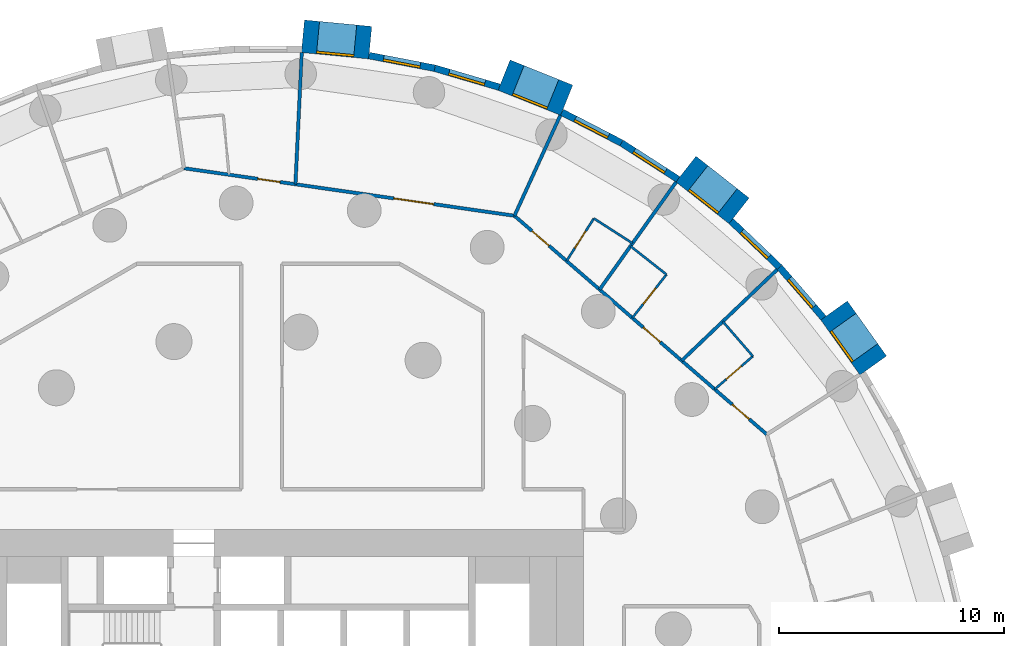
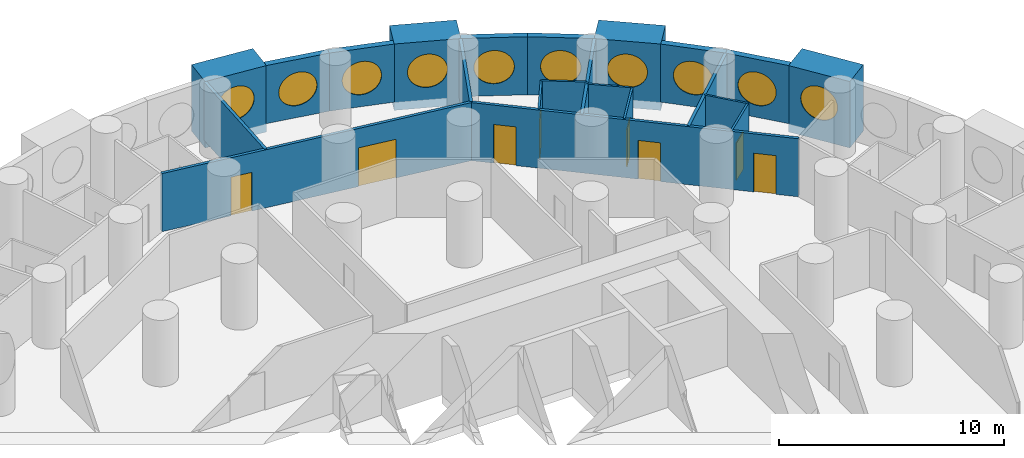
# One storey, part 10 of 12: 22 walls, 10 windows, 8 doors, 18 openings.
"""IFC4 building model written with IfcOpenShell, lengths in metres."""

from ifc_helpers import new_model, si_unit, direction, frame, frame_2d, origin, origin_2d, place, context, subcontext, project, spatial, rectangle, circle, extrude, material, layer, layer_set, type_object, element, fill, save


model = new_model("IFC4")

# Units and contexts
model_context = context("Model", 3, precision=1e-05, world=origin(), true_north=direction((0.0, 1.0)))
body_context = subcontext(model_context, "Body", "Model", "MODEL_VIEW")
ifc_project = project(units=[si_unit("LENGTHUNIT", "METRE"), si_unit("AREAUNIT", "SQUARE_METRE"), si_unit("VOLUMEUNIT", "CUBIC_METRE"), si_unit("PLANEANGLEUNIT", "RADIAN"), si_unit("MASSUNIT", "GRAM", prefix="KILO")], contexts=[model_context])

# Site, building, storey
site_placement = place(None, origin())
site = spatial("IfcSite", under=ifc_project, at=site_placement, CompositionType="ELEMENT")
building_placement = place(site_placement, origin())
building = spatial("IfcBuilding", under=site, at=building_placement, Name="Tracery Tower", CompositionType="ELEMENT")
storey_placement = place(building_placement, frame((0.0, 0.0, 35.39990234375)))
storey = spatial("IfcBuildingStorey", under=building, at=storey_placement, Name="L07", CompositionType="ELEMENT", Elevation=35.39990234375)

# Wall, opening, window
ifc_material_1 = material(Name="Precast concrete C50/60", Category="concrete")
ifc_layer_1 = layer(ifc_material_1, 1.449951171875)
ifc_layer_set_1 = layer_set([ifc_layer_1], Name="Deep-set bay unit 3000 x 3600, slab edge 450")
wall_type_1 = type_object("IfcWallType", Name="Deep-set bay unit 3000 x 3600, slab edge 450", PredefinedType="ELEMENTEDWALL", material=ifc_layer_set_1)
wall_1_placement = place(storey_placement, frame((26.866455078125, 17.2900390625, -0.449951171875), z_axis=(0.0, 0.0, 1.0), x_axis=(-0.580090570606, 0.814551981088, 0.0)))
wall_1 = element("IfcWall", 1, at=wall_1_placement, inside=storey, type_object=wall_type_1, Name="Deep-set bay unit 7 at L07", PredefinedType="ELEMENTEDWALL", context=body_context, shape_type="SweptSolid", body=[
    extrude(rectangle(XDim=3.0, YDim=1.449951171875, at=frame_2d((1.5, 0.0))), origin(), (0.0, 0.0, 1.0), 3.60009765625),
])
opening_1_placement = place(wall_1_placement, frame((1.5, 0.0, 2.0)))
opening_1 = element("IfcOpeningElement", 2, at=opening_1_placement, cuts=wall_1, Name="Opening WN1", PredefinedType="OPENING", context=body_context, shape_type="SweptSolid", body=[
    extrude(circle(Radius=0.9000244140625, at=origin_2d()), frame((0.0, 0.73486328125, 0.0), z_axis=(0.0, -1.0, 0.0), x_axis=(1.0, 0.0, 0.0)), (0.0, 0.0, 1.0), 1.469970703125),
])
ifc_material_2 = material(Name="Aluminium frame with tinted double glazing", Category="aluminium")
window_type = type_object("IfcWindowType", Name="Round window 1800", PartitioningType="SINGLE_PANEL", PredefinedType="WINDOW", material=ifc_material_2)
window_1_placement = place(opening_1_placement, origin())
window_1 = element("IfcWindow", 3, at=window_1_placement, inside=storey, type_object=window_type, Name="Round window 7 at L07", OverallHeight=1.800048828125, OverallWidth=1.800048828125, PartitioningType="SINGLE_PANEL", PredefinedType="WINDOW", context=body_context, shape_type="SweptSolid", body=[
    extrude(circle(Radius=0.9000244140625, at=origin_2d()), frame((0.0, 0.69482421875, 0.0), z_axis=(0.0, -1.0, 0.0), x_axis=(1.0, 0.0, 0.0)), (0.0, 0.0, 1.0), 0.10009765625),
])
fill(opening_1, window_1)

wall_2_placement = place(storey_placement, frame((20.906982421875, 24.15869140625, -0.449951171875), z_axis=(0.0, 0.0, 1.0), x_axis=(-0.786049992888, 0.618162930529, 0.0)))
wall_2 = element("IfcWall", 4, at=wall_2_placement, inside=storey, type_object=wall_type_1, Name="Deep-set bay unit 10 at L07", PredefinedType="ELEMENTEDWALL", context=body_context, shape_type="SweptSolid", body=[
    extrude(rectangle(XDim=3.0, YDim=1.449951171875, at=frame_2d((1.5, 0.0))), origin(), (0.0, 0.0, 1.0), 3.60009765625),
])
opening_2_placement = place(wall_2_placement, frame((1.5, 0.0, 2.0)))
opening_2 = element("IfcOpeningElement", 5, at=opening_2_placement, cuts=wall_2, Name="Opening WN1", PredefinedType="OPENING", context=body_context, shape_type="SweptSolid", body=[
    extrude(circle(Radius=0.9000244140625, at=origin_2d()), frame((0.0, 0.73486328125, 0.0), z_axis=(0.0, -1.0, 0.0), x_axis=(1.0, 0.0, 0.0)), (0.0, 0.0, 1.0), 1.469970703125),
])
window_2_placement = place(opening_2_placement, origin())
window_2 = element("IfcWindow", 6, at=window_2_placement, inside=storey, type_object=window_type, Name="Round window 10 at L07", OverallHeight=1.800048828125, OverallWidth=1.800048828125, PartitioningType="SINGLE_PANEL", PredefinedType="WINDOW", context=body_context, shape_type="SweptSolid", body=[
    extrude(circle(Radius=0.9000244140625, at=origin_2d()), frame((0.0, 0.69482421875, 0.0), z_axis=(0.0, -1.0, 0.0), x_axis=(1.0, 0.0, 0.0)), (0.0, 0.0, 1.0), 0.10009765625),
])
fill(opening_2, window_2)

wall_3_placement = place(storey_placement, frame((13.253662109375, 29.0703125, -0.449951171875), z_axis=(0.0, 0.0, 1.0), x_axis=(-0.928358776184, 0.371685327504, 0.0)))
wall_3 = element("IfcWall", 7, at=wall_3_placement, inside=storey, type_object=wall_type_1, Name="Deep-set bay unit 13 at L07", PredefinedType="ELEMENTEDWALL", context=body_context, shape_type="SweptSolid", body=[
    extrude(rectangle(XDim=2.999755859375, YDim=1.449951171875, at=frame_2d((1.5, 0.0))), origin(), (0.0, 0.0, 1.0), 3.60009765625),
])
opening_3_placement = place(wall_3_placement, frame((1.5, 0.0, 2.0)))
opening_3 = element("IfcOpeningElement", 8, at=opening_3_placement, cuts=wall_3, Name="Opening WN1", PredefinedType="OPENING", context=body_context, shape_type="SweptSolid", body=[
    extrude(circle(Radius=0.9000244140625, at=origin_2d()), frame((0.0, 0.73486328125, 0.0), z_axis=(0.0, -1.0, 0.0), x_axis=(1.0, 0.0, 0.0)), (0.0, 0.0, 1.0), 1.469970703125),
])
window_3_placement = place(opening_3_placement, origin())
window_3 = element("IfcWindow", 9, at=window_3_placement, inside=storey, type_object=window_type, Name="Round window 13 at L07", OverallHeight=1.800048828125, OverallWidth=1.800048828125, PartitioningType="SINGLE_PANEL", PredefinedType="WINDOW", context=body_context, shape_type="SweptSolid", body=[
    extrude(circle(Radius=0.9000244140625, at=origin_2d()), frame((0.0, 0.69482421875, 0.0), z_axis=(0.0, -1.0, 0.0), x_axis=(1.0, 0.0, 0.0)), (0.0, 0.0, 1.0), 0.10009765625),
])
fill(opening_3, window_3)

wall_4_placement = place(storey_placement, frame((4.52685546875, 31.626708984375, -0.449951171875), z_axis=(0.0, 0.0, 1.0), x_axis=(-0.995472768558, 0.09504718333, 0.0)))
wall_4 = element("IfcWall", 10, at=wall_4_placement, inside=storey, type_object=wall_type_1, Name="Deep-set bay unit 16 at L07", PredefinedType="ELEMENTEDWALL", context=body_context, shape_type="SweptSolid", body=[
    extrude(rectangle(XDim=3.000244140625, YDim=1.449951171875, at=frame_2d((1.5, 0.0))), origin(), (0.0, 0.0, 1.0), 3.60009765625),
])
opening_4_placement = place(wall_4_placement, frame((1.5, 0.0, 2.0)))
opening_4 = element("IfcOpeningElement", 11, at=opening_4_placement, cuts=wall_4, Name="Opening WN1", PredefinedType="OPENING", context=body_context, shape_type="SweptSolid", body=[
    extrude(circle(Radius=0.9000244140625, at=origin_2d()), frame((0.0, 0.73486328125, 0.0), z_axis=(0.0, -1.0, 0.0), x_axis=(1.0, 0.0, 0.0)), (0.0, 0.0, 1.0), 1.469970703125),
])
window_4_placement = place(opening_4_placement, origin())
window_4 = element("IfcWindow", 12, at=window_4_placement, inside=storey, type_object=window_type, Name="Round window 16 at L07", OverallHeight=1.800048828125, OverallWidth=1.800048828125, PartitioningType="SINGLE_PANEL", PredefinedType="WINDOW", context=body_context, shape_type="SweptSolid", body=[
    extrude(circle(Radius=0.9000244140625, at=origin_2d()), frame((0.0, 0.69482421875, 0.0), z_axis=(0.0, -1.0, 0.0), x_axis=(1.0, 0.0, 0.0)), (0.0, 0.0, 1.0), 0.10009765625),
])
fill(opening_4, window_4)

ifc_material_3 = material(Name="Precast concrete C50/60", Category="concrete")
ifc_layer_2 = layer(ifc_material_3, 0.300048828125)
ifc_layer_set_2 = layer_set([ifc_layer_2], Name="Facade panel 3000 x 3150")
wall_type_2 = type_object("IfcWallType", Name="Facade panel 3000 x 3150", PredefinedType="SOLIDWALL", material=ifc_layer_set_2)
wall_5_placement = place(storey_placement, frame((24.657958984375, 19.39892578125, 0.0), z_axis=(0.0, 0.0, 1.0), x_axis=(-0.654830712471, 0.755775587066, 0.0)))
wall_5 = element("IfcWall", 13, at=wall_5_placement, inside=storey, type_object=wall_type_2, Name="Facade panel 8 at L07", PredefinedType="SOLIDWALL", context=body_context, shape_type="SweptSolid", body=[
    extrude(rectangle(XDim=2.979736328125, YDim=0.300048828125, at=frame_2d((1.48974609375, 0.0))), origin(), (0.0, 0.0, 1.0), 3.150146484375),
])
opening_5_placement = place(wall_5_placement, frame((1.48974609375, 0.0, 1.5498046875)))
opening_5 = element("IfcOpeningElement", 14, at=opening_5_placement, cuts=wall_5, Name="Opening WN1", PredefinedType="OPENING", context=body_context, shape_type="SweptSolid", body=[
    extrude(circle(Radius=0.9000244140625, at=origin_2d()), frame((0.0, 0.159912109375, 0.0), z_axis=(0.0, -1.0, 0.0), x_axis=(1.0, 0.0, 0.0)), (0.0, 0.0, 1.0), 0.320068359375),
])
window_5_placement = place(opening_5_placement, origin())
window_5 = element("IfcWindow", 15, at=window_5_placement, inside=storey, type_object=window_type, Name="Round window 8 at L07", OverallHeight=1.800048828125, OverallWidth=1.800048828125, PartitioningType="SINGLE_PANEL", PredefinedType="WINDOW", context=body_context, shape_type="SweptSolid", body=[
    extrude(circle(Radius=0.9000244140625, at=origin_2d()), frame((0.0, 0.1201171875, 0.0), z_axis=(0.0, -1.0, 0.0), x_axis=(1.0, 0.0, 0.0)), (0.0, 0.0, 1.0), 0.10009765625),
])
fill(opening_5, window_5)

wall_6_placement = place(storey_placement, frame((22.706787109375, 21.65087890625, 0.0), z_axis=(0.0, 0.0, 1.0), x_axis=(-0.723744206617, 0.690068346896, 0.0)))
wall_6 = element("IfcWall", 16, at=wall_6_placement, inside=storey, type_object=wall_type_2, Name="Facade panel 9 at L07", PredefinedType="SOLIDWALL", context=body_context, shape_type="SweptSolid", body=[
    extrude(rectangle(XDim=2.979736328125, YDim=0.300048828125, at=frame_2d((1.48974609375, 0.0))), origin(), (0.0, 0.0, 1.0), 3.150146484375),
])
opening_6_placement = place(wall_6_placement, frame((1.48974609375, 0.0, 1.5498046875)))
opening_6 = element("IfcOpeningElement", 17, at=opening_6_placement, cuts=wall_6, Name="Opening WN1", PredefinedType="OPENING", context=body_context, shape_type="SweptSolid", body=[
    extrude(circle(Radius=0.9000244140625, at=origin_2d()), frame((0.0, 0.159912109375, 0.0), z_axis=(0.0, -1.0, 0.0), x_axis=(1.0, 0.0, 0.0)), (0.0, 0.0, 1.0), 0.320068359375),
])
window_6_placement = place(opening_6_placement, origin())
window_6 = element("IfcWindow", 18, at=window_6_placement, inside=storey, type_object=window_type, Name="Round window 9 at L07", OverallHeight=1.800048828125, OverallWidth=1.800048828125, PartitioningType="SINGLE_PANEL", PredefinedType="WINDOW", context=body_context, shape_type="SweptSolid", body=[
    extrude(circle(Radius=0.9000244140625, at=origin_2d()), frame((0.0, 0.1201171875, 0.0), z_axis=(0.0, -1.0, 0.0), x_axis=(1.0, 0.0, 0.0)), (0.0, 0.0, 1.0), 0.10009765625),
])
fill(opening_6, window_6)

wall_7_placement = place(storey_placement, frame((18.19384765625, 25.56005859375, 0.0), z_axis=(0.0, 0.0, 1.0), x_axis=(-0.84122372879, 0.540687190639, 0.0)))
wall_7 = element("IfcWall", 19, at=wall_7_placement, inside=storey, type_object=wall_type_2, Name="Facade panel 11 at L07", PredefinedType="SOLIDWALL", context=body_context, shape_type="SweptSolid", body=[
    extrude(rectangle(XDim=2.979736328125, YDim=0.300048828125, at=frame_2d((1.48974609375, 0.0))), origin(), (0.0, 0.0, 1.0), 3.150146484375),
])
opening_7_placement = place(wall_7_placement, frame((1.48974609375, 0.0, 1.5498046875)))
opening_7 = element("IfcOpeningElement", 20, at=opening_7_placement, cuts=wall_7, Name="Opening WN1", PredefinedType="OPENING", context=body_context, shape_type="SweptSolid", body=[
    extrude(circle(Radius=0.9000244140625, at=origin_2d()), frame((0.0, 0.159912109375, 0.0), z_axis=(0.0, -1.0, 0.0), x_axis=(1.0, 0.0, 0.0)), (0.0, 0.0, 1.0), 0.320068359375),
])
window_7_placement = place(opening_7_placement, origin())
window_7 = element("IfcWindow", 21, at=window_7_placement, inside=storey, type_object=window_type, Name="Round window 11 at L07", OverallHeight=1.800048828125, OverallWidth=1.800048828125, PartitioningType="SINGLE_PANEL", PredefinedType="WINDOW", context=body_context, shape_type="SweptSolid", body=[
    extrude(circle(Radius=0.9000244140625, at=origin_2d()), frame((0.0, 0.1201171875, 0.0), z_axis=(0.0, -1.0, 0.0), x_axis=(1.0, 0.0, 0.0)), (0.0, 0.0, 1.0), 0.10009765625),
])
fill(opening_7, window_7)

wall_8_placement = place(storey_placement, frame((15.687255859375, 27.171142578125, 0.0), z_axis=(0.0, 0.0, 1.0), x_axis=(-0.888853225096, 0.4581920386, 0.0)))
wall_8 = element("IfcWall", 22, at=wall_8_placement, inside=storey, type_object=wall_type_2, Name="Facade panel 12 at L07", PredefinedType="SOLIDWALL", context=body_context, shape_type="SweptSolid", body=[
    extrude(rectangle(XDim=2.9794921875, YDim=0.300048828125, at=frame_2d((1.48974609375, 0.0))), origin(), (0.0, 0.0, 1.0), 3.150146484375),
])
opening_8_placement = place(wall_8_placement, frame((1.48974609375, 0.0, 1.5498046875)))
opening_8 = element("IfcOpeningElement", 23, at=opening_8_placement, cuts=wall_8, Name="Opening WN1", PredefinedType="OPENING", context=body_context, shape_type="SweptSolid", body=[
    extrude(circle(Radius=0.9000244140625, at=origin_2d()), frame((0.0, 0.159912109375, 0.0), z_axis=(0.0, -1.0, 0.0), x_axis=(1.0, 0.0, 0.0)), (0.0, 0.0, 1.0), 0.320068359375),
])
window_8_placement = place(opening_8_placement, origin())
window_8 = element("IfcWindow", 24, at=window_8_placement, inside=storey, type_object=window_type, Name="Round window 12 at L07", OverallHeight=1.800048828125, OverallWidth=1.800048828125, PartitioningType="SINGLE_PANEL", PredefinedType="WINDOW", context=body_context, shape_type="SweptSolid", body=[
    extrude(circle(Radius=0.9000244140625, at=origin_2d()), frame((0.0, 0.1201171875, 0.0), z_axis=(0.0, -1.0, 0.0), x_axis=(1.0, 0.0, 0.0)), (0.0, 0.0, 1.0), 0.10009765625),
])
fill(opening_8, window_8)

wall_9_placement = place(storey_placement, frame((10.255859375, 29.650634765625, 0.0), z_axis=(0.0, 0.0, 1.0), x_axis=(-0.959507586834, 0.28168278401, 0.0)))
wall_9 = element("IfcWall", 25, at=wall_9_placement, inside=storey, type_object=wall_type_2, Name="Facade panel 14 at L07", PredefinedType="SOLIDWALL", context=body_context, shape_type="SweptSolid", body=[
    extrude(rectangle(XDim=2.979736328125, YDim=0.300048828125, at=frame_2d((1.48974609375, 0.0))), origin(), (0.0, 0.0, 1.0), 3.150146484375),
])
opening_9_placement = place(wall_9_placement, frame((1.48974609375, 0.0, 1.5498046875)))
opening_9 = element("IfcOpeningElement", 26, at=opening_9_placement, cuts=wall_9, Name="Opening WN1", PredefinedType="OPENING", context=body_context, shape_type="SweptSolid", body=[
    extrude(circle(Radius=0.9000244140625, at=origin_2d()), frame((0.0, 0.159912109375, 0.0), z_axis=(0.0, -1.0, 0.0), x_axis=(1.0, 0.0, 0.0)), (0.0, 0.0, 1.0), 0.320068359375),
])
window_9_placement = place(opening_9_placement, origin())
window_9 = element("IfcWindow", 27, at=window_9_placement, inside=storey, type_object=window_type, Name="Round window 14 at L07", OverallHeight=1.800048828125, OverallWidth=1.800048828125, PartitioningType="SINGLE_PANEL", PredefinedType="WINDOW", context=body_context, shape_type="SweptSolid", body=[
    extrude(circle(Radius=0.9000244140625, at=origin_2d()), frame((0.0, 0.1201171875, 0.0), z_axis=(0.0, -1.0, 0.0), x_axis=(1.0, 0.0, 0.0)), (0.0, 0.0, 1.0), 0.10009765625),
])
fill(opening_9, window_9)

wall_10_placement = place(storey_placement, frame((7.396728515625, 30.489990234375, 0.0), z_axis=(0.0, 0.0, 1.0), x_axis=(-0.981924535406, 0.189272836848, 0.0)))
wall_10 = element("IfcWall", 28, at=wall_10_placement, inside=storey, type_object=wall_type_2, Name="Facade panel 15 at L07", PredefinedType="SOLIDWALL", context=body_context, shape_type="SweptSolid", body=[
    extrude(rectangle(XDim=2.979736328125, YDim=0.300048828125, at=frame_2d((1.48974609375, 0.0))), origin(), (0.0, 0.0, 1.0), 3.150146484375),
])
opening_10_placement = place(wall_10_placement, frame((1.48974609375, 0.0, 1.5498046875)))
opening_10 = element("IfcOpeningElement", 29, at=opening_10_placement, cuts=wall_10, Name="Opening WN1", PredefinedType="OPENING", context=body_context, shape_type="SweptSolid", body=[
    extrude(circle(Radius=0.9000244140625, at=origin_2d()), frame((0.0, 0.159912109375, 0.0), z_axis=(0.0, -1.0, 0.0), x_axis=(1.0, 0.0, 0.0)), (0.0, 0.0, 1.0), 0.320068359375),
])
window_10_placement = place(opening_10_placement, origin())
window_10 = element("IfcWindow", 30, at=window_10_placement, inside=storey, type_object=window_type, Name="Round window 15 at L07", OverallHeight=1.800048828125, OverallWidth=1.800048828125, PartitioningType="SINGLE_PANEL", PredefinedType="WINDOW", context=body_context, shape_type="SweptSolid", body=[
    extrude(circle(Radius=0.9000244140625, at=origin_2d()), frame((0.0, 0.1201171875, 0.0), z_axis=(0.0, -1.0, 0.0), x_axis=(1.0, 0.0, 0.0)), (0.0, 0.0, 1.0), 0.10009765625),
])
fill(opening_10, window_10)

# Wall, opening, door
ifc_material_4 = material(Name="Plasterboard on steel studs", Category="steel")
ifc_layer_3 = layer(ifc_material_4, 0.10009765625)
ifc_layer_set_3 = layer_set([ifc_layer_3], Name="Partition 100 wet wall")
wall_type_3 = type_object("IfcWallType", Name="Partition 100 wet wall", PredefinedType="PARTITIONING", material=ifc_layer_set_3)
wall_11_placement = place(storey_placement, frame((19.825927734375, 16.23388671875, 0.0), z_axis=(0.0, 0.0, 1.0), x_axis=(0.755703447798, 0.654913963042, 0.0)))
wall_11 = element("IfcWall", 31, at=wall_11_placement, inside=storey, type_object=wall_type_3, Name="Wet wall RA1-068", PredefinedType="PARTITIONING", context=body_context, shape_type="SweptSolid", body=[
    extrude(rectangle(XDim=2.242919921875, YDim=0.10009765625, at=frame_2d((1.12158203125, 0.0))), origin(), (0.0, 0.0, 1.0), 3.150146484375),
])
opening_11_placement = place(wall_11_placement, frame((0.6708984375, 0.0, 0.0)))
opening_11 = element("IfcOpeningElement", 32, at=opening_11_placement, cuts=wall_11, Name="Opening RA1-15", PredefinedType="OPENING", context=body_context, shape_type="SweptSolid", body=[
    extrude(rectangle(XDim=0.89990234375, YDim=2.0400390625, at=frame_2d((0.449951171875, 1.02001953125))), frame((0.0, 0.050048828125, 0.0), z_axis=(0.0, -1.0, 0.0), x_axis=(1.0, 0.0, 0.0)), (0.0, 0.0, 1.0), 0.10009765625),
])
ifc_material_5 = material(Name="Timber door leaf", Category="wood")
door_type_1 = type_object("IfcDoorType", Name="Door en-suite 900", OperationType="NOTDEFINED", PredefinedType="DOOR", material=ifc_material_5)
door_1_placement = place(opening_11_placement, origin())
door_1 = element("IfcDoor", 33, at=door_1_placement, inside=storey, type_object=door_type_1, Name="En-suite door RA1-15", OperationType="SINGLE_SWING_LEFT", OverallHeight=2.0400390625, OverallWidth=0.89990234375, PredefinedType="DOOR", context=body_context, shape_type="SweptSolid", body=[
    extrude(rectangle(XDim=0.89990234375, YDim=2.0400390625, at=frame_2d((0.449951171875, 1.02001953125))), frame((0.0, 0.02490234375, 0.0), z_axis=(0.0, -1.0, 0.0), x_axis=(1.0, 0.0, 0.0)), (0.0, 0.0, 1.0), 0.050048828125),
])
fill(opening_11, door_1)

# Wall
wall_12_placement = place(storey_placement, frame((20.18408203125, 19.2451171875, 0.0), z_axis=(0.0, 0.0, 1.0), x_axis=(0.655017058368, -0.755614090159, 0.0)))
element("IfcWall", 34, at=wall_12_placement, inside=storey, type_object=wall_type_3, Name="Wet wall RA1-069", PredefinedType="PARTITIONING", context=body_context, shape_type="SweptSolid", body=[
    extrude(rectangle(XDim=2.041015625, YDim=0.10009765625, at=frame_2d((1.0205078125, 0.0))), origin(), (0.0, 0.0, 1.0), 3.150146484375),
])

# Wall, opening, door
wall_13_placement = place(storey_placement, frame((16.16796875, 19.404052734375, 0.0), z_axis=(0.0, 0.0, 1.0), x_axis=(0.618142414415, 0.786066126672, 0.0)))
wall_13 = element("IfcWall", 35, at=wall_13_placement, inside=storey, type_object=wall_type_3, Name="Wet wall RA1-071", PredefinedType="PARTITIONING", context=body_context, shape_type="SweptSolid", body=[
    extrude(rectangle(XDim=2.45263671875, YDim=0.10009765625, at=frame_2d((1.226318359375, 0.0))), origin(), (0.0, 0.0, 1.0), 3.150146484375),
])
opening_12_placement = place(wall_13_placement, frame((0.77587890625, 0.0, 0.0)))
opening_12 = element("IfcOpeningElement", 36, at=opening_12_placement, cuts=wall_13, Name="Opening RA1-17", PredefinedType="OPENING", context=body_context, shape_type="SweptSolid", body=[
    extrude(rectangle(XDim=0.89990234375, YDim=2.0400390625, at=frame_2d((0.449951171875, 1.02001953125))), frame((0.0, 0.050048828125, 0.0), z_axis=(0.0, -1.0, 0.0), x_axis=(1.0, 0.0, 0.0)), (0.0, 0.0, 1.0), 0.10009765625),
])
door_2_placement = place(opening_12_placement, origin())
door_2 = element("IfcDoor", 37, at=door_2_placement, inside=storey, type_object=door_type_1, Name="En-suite door RA1-17", OperationType="SINGLE_SWING_LEFT", OverallHeight=2.0400390625, OverallWidth=0.89990234375, PredefinedType="DOOR", context=body_context, shape_type="SweptSolid", body=[
    extrude(rectangle(XDim=0.89990234375, YDim=2.0400390625, at=frame_2d((0.449951171875, 1.02001953125))), frame((0.0, 0.02490234375, 0.0), z_axis=(0.0, -1.0, 0.0), x_axis=(1.0, 0.0, 0.0)), (0.0, 0.0, 1.0), 0.050048828125),
])
fill(opening_12, door_2)

# Walls
wall_14_placement = place(storey_placement, frame((16.0859375, 22.589111328125, 0.0), z_axis=(0.0, 0.0, 1.0), x_axis=(0.785984904201, -0.618245687707, 0.0)))
element("IfcWall", 38, at=wall_14_placement, inside=storey, type_object=wall_type_3, Name="Wet wall RA1-072", PredefinedType="PARTITIONING", context=body_context, shape_type="SweptSolid", body=[
    extrude(rectangle(XDim=2.033203125, YDim=0.10009765625, at=frame_2d((1.0166015625, 0.0))), origin(), (0.0, 0.0, 1.0), 3.150146484375),
])
wall_15_placement = place(storey_placement, frame((14.4599609375, 23.821044921875, 0.0), z_axis=(0.0, 0.0, 1.0), x_axis=(0.841135728185, -0.540824081168, 0.0)))
element("IfcWall", 39, at=wall_15_placement, inside=storey, type_object=wall_type_3, Name="Wet wall RA1-074", PredefinedType="PARTITIONING", context=body_context, shape_type="SweptSolid", body=[
    extrude(rectangle(XDim=2.041259765625, YDim=0.10009765625, at=frame_2d((1.0205078125, 0.0))), origin(), (0.0, 0.0, 1.0), 3.150146484375),
])

# Wall, opening, door
wall_16_placement = place(storey_placement, frame((13.248046875, 21.93505859375, 0.0), z_axis=(0.0, 0.0, 1.0), x_axis=(0.540597960994, 0.841281073464, 0.0)))
wall_16 = element("IfcWall", 40, at=wall_16_placement, inside=storey, type_object=wall_type_3, Name="Wet wall RA1-075", PredefinedType="PARTITIONING", context=body_context, shape_type="SweptSolid", body=[
    extrude(rectangle(XDim=2.24169921875, YDim=0.10009765625, at=frame_2d((1.120849609375, 0.0))), origin(), (0.0, 0.0, 1.0), 3.150146484375),
])
opening_13_placement = place(wall_16_placement, frame((0.6708984375, 0.0, 0.0)))
opening_13 = element("IfcOpeningElement", 41, at=opening_13_placement, cuts=wall_16, Name="Opening RA1-19", PredefinedType="OPENING", context=body_context, shape_type="SweptSolid", body=[
    extrude(rectangle(XDim=0.89990234375, YDim=2.0400390625, at=frame_2d((0.449951171875, 1.02001953125))), frame((0.0, 0.050048828125, 0.0), z_axis=(0.0, -1.0, 0.0), x_axis=(1.0, 0.0, 0.0)), (0.0, 0.0, 1.0), 0.10009765625),
])
door_3_placement = place(opening_13_placement, origin())
door_3 = element("IfcDoor", 42, at=door_3_placement, inside=storey, type_object=door_type_1, Name="En-suite door RA1-19", OperationType="SINGLE_SWING_RIGHT", OverallHeight=2.0400390625, OverallWidth=0.89990234375, PredefinedType="DOOR", context=body_context, shape_type="SweptSolid", body=[
    extrude(rectangle(XDim=0.89990234375, YDim=2.0400390625, at=frame_2d((0.449951171875, 1.02001953125))), frame((0.0, 0.02490234375, 0.0), z_axis=(0.0, -1.0, 0.0), x_axis=(1.0, 0.0, 0.0)), (0.0, 0.0, 1.0), 0.050048828125),
])
fill(opening_13, door_3)

# Walls
ifc_material_6 = material(Name="Plasterboard on steel studs", Category="steel")
ifc_layer_4 = layer(ifc_material_6, 0.14990234375)
ifc_layer_set_4 = layer_set([ifc_layer_4], Name="Partition 150 acoustic unit wall")
wall_type_4 = type_object("IfcWallType", Name="Partition 150 acoustic unit wall", PredefinedType="PARTITIONING", material=ifc_layer_set_4)
wall_17_placement = place(storey_placement, frame((18.359619140625, 17.50537109375, 0.0), z_axis=(0.0, 0.0, 1.0), x_axis=(0.723686703731, 0.690128650937, 0.0)))
element("IfcWall", 43, at=wall_17_placement, inside=storey, type_object=wall_type_4, Name="Unit wall RA1-070", PredefinedType="PARTITIONING", context=body_context, shape_type="SweptSolid", body=[
    extrude(rectangle(XDim=5.8564453125, YDim=0.14990234375, at=frame_2d((2.92822265625, 0.0))), origin(), (0.0, 0.0, 1.0), 3.150146484375),
])
wall_18_placement = place(storey_placement, frame((14.71533203125, 20.663818359375, 0.0), z_axis=(0.0, 0.0, 1.0), x_axis=(0.57995989616, 0.814645026282, 0.0)))
element("IfcWall", 44, at=wall_18_placement, inside=storey, type_object=wall_type_4, Name="Unit wall RA1-073", PredefinedType="PARTITIONING", context=body_context, shape_type="SweptSolid", body=[
    extrude(rectangle(XDim=5.85693359375, YDim=0.14990234375, at=frame_2d((2.928466796875, 0.0))), origin(), (0.0, 0.0, 1.0), 3.150146484375),
])
wall_19_placement = place(storey_placement, frame((10.93310546875, 23.93994140625, 0.0), z_axis=(0.0, 0.0, 1.0), x_axis=(0.415346954488, 0.909663073559, 0.0)))
element("IfcWall", 45, at=wall_19_placement, inside=storey, type_object=wall_type_4, Name="Unit wall RA1-076", PredefinedType="PARTITIONING", context=body_context, shape_type="SweptSolid", body=[
    extrude(rectangle(XDim=4.90625, YDim=0.14990234375, at=frame_2d((2.453125, 0.0))), origin(), (0.0, 0.0, 1.0), 3.150146484375),
])
wall_20_placement = place(storey_placement, frame((1.20703125, 25.339111328125, 0.0), z_axis=(0.0, 0.0, 1.0), x_axis=(0.047648334785, 0.998864173045, 0.0)))
element("IfcWall", 46, at=wall_20_placement, inside=storey, type_object=wall_type_4, Name="Unit wall RA1-077", PredefinedType="PARTITIONING", context=body_context, shape_type="SweptSolid", body=[
    extrude(rectangle(XDim=5.8564453125, YDim=0.14990234375, at=frame_2d((2.92822265625, 0.0))), origin(), (0.0, 0.0, 1.0), 3.150146484375),
])

# Wall, openings, doors
ifc_material_7 = material(Name="Plasterboard on steel studs", Category="steel")
ifc_layer_5 = layer(ifc_material_7, 0.14990234375)
ifc_layer_set_5 = layer_set([ifc_layer_5], Name="Partition 150 corridor wall")
wall_type_5 = type_object("IfcWallType", Name="Partition 150 corridor wall", PredefinedType="PARTITIONING", material=ifc_layer_set_5)
wall_21_placement = place(storey_placement, frame((10.93212890625, 23.93896484375, 0.0), z_axis=(0.0, 0.0, 1.0), x_axis=(0.755838982892, -0.654757536757, 0.0)))
wall_21 = element("IfcWall", 47, at=wall_21_placement, inside=storey, type_object=wall_type_5, Name="Corridor wall RA1-021", PredefinedType="PARTITIONING", context=body_context, shape_type="SweptSolid", body=[
    extrude(rectangle(XDim=14.829833984375, YDim=0.14990234375, at=frame_2d((7.4150390625, 0.0))), origin(), (0.0, 0.0, 1.0), 3.150146484375),
])
opening_14_placement = place(wall_21_placement, frame((12.7958984375, 0.0, 0.0)))
opening_14 = element("IfcOpeningElement", 48, at=opening_14_placement, cuts=wall_21, Name="Opening RA1-16", PredefinedType="OPENING", context=body_context, shape_type="SweptSolid", body=[
    extrude(rectangle(XDim=1.0, YDim=2.10009765625, at=frame_2d((0.5, 1.050048828125))), frame((0.0, 0.074951171875, 0.0), z_axis=(0.0, -1.0, 0.0), x_axis=(1.0, 0.0, 0.0)), (0.0, 0.0, 1.0), 0.14990234375),
])
opening_15_placement = place(wall_21_placement, frame((7.571533203125, 0.0, 0.0)))
opening_15 = element("IfcOpeningElement", 49, at=opening_15_placement, cuts=wall_21, Name="Opening RA1-18", PredefinedType="OPENING", context=body_context, shape_type="SweptSolid", body=[
    extrude(rectangle(XDim=1.0, YDim=2.10009765625, at=frame_2d((0.5, 1.050048828125))), frame((0.0, 0.074951171875, 0.0), z_axis=(0.0, -1.0, 0.0), x_axis=(1.0, 0.0, 0.0)), (0.0, 0.0, 1.0), 0.14990234375),
])
opening_16_placement = place(wall_21_placement, frame((1.032958984375, 0.0, 0.0)))
opening_16 = element("IfcOpeningElement", 50, at=opening_16_placement, cuts=wall_21, Name="Opening RA1-20", PredefinedType="OPENING", context=body_context, shape_type="SweptSolid", body=[
    extrude(rectangle(XDim=1.0, YDim=2.10009765625, at=frame_2d((0.5, 1.050048828125))), frame((0.0, 0.074951171875, 0.0), z_axis=(0.0, -1.0, 0.0), x_axis=(1.0, 0.0, 0.0)), (0.0, 0.0, 1.0), 0.14990234375),
])
ifc_material_8 = material(Name="Timber door leaf", Category="wood")
door_type_2 = type_object("IfcDoorType", Name="Door unit entrance 1000", OperationType="NOTDEFINED", PredefinedType="DOOR", material=ifc_material_8)
door_4_placement = place(opening_14_placement, origin())
door_4 = element("IfcDoor", 51, at=door_4_placement, inside=storey, type_object=door_type_2, Name="Unit entrance door RA1-16", OperationType="SINGLE_SWING_LEFT", OverallHeight=2.10009765625, OverallWidth=1.0, PredefinedType="DOOR", context=body_context, shape_type="SweptSolid", body=[
    extrude(rectangle(XDim=1.0, YDim=2.10009765625, at=frame_2d((0.5, 1.050048828125))), frame((0.0, 0.02490234375, 0.0), z_axis=(0.0, -1.0, 0.0), x_axis=(1.0, 0.0, 0.0)), (0.0, 0.0, 1.0), 0.050048828125),
])
fill(opening_14, door_4)
door_5_placement = place(opening_15_placement, origin())
door_5 = element("IfcDoor", 52, at=door_5_placement, inside=storey, type_object=door_type_2, Name="Unit entrance door RA1-18", OperationType="SINGLE_SWING_LEFT", OverallHeight=2.10009765625, OverallWidth=1.0, PredefinedType="DOOR", context=body_context, shape_type="SweptSolid", body=[
    extrude(rectangle(XDim=1.0, YDim=2.10009765625, at=frame_2d((0.5, 1.050048828125))), frame((0.0, 0.02490234375, 0.0), z_axis=(0.0, -1.0, 0.0), x_axis=(1.0, 0.0, 0.0)), (0.0, 0.0, 1.0), 0.050048828125),
])
fill(opening_15, door_5)
door_6_placement = place(opening_16_placement, origin())
door_6 = element("IfcDoor", 53, at=door_6_placement, inside=storey, type_object=door_type_2, Name="Unit entrance door RA1-20", OperationType="SINGLE_SWING_LEFT", OverallHeight=2.10009765625, OverallWidth=1.0, PredefinedType="DOOR", context=body_context, shape_type="SweptSolid", body=[
    extrude(rectangle(XDim=1.0, YDim=2.10009765625, at=frame_2d((0.5, 1.050048828125))), frame((0.0, 0.02490234375, 0.0), z_axis=(0.0, -1.0, 0.0), x_axis=(1.0, 0.0, 0.0)), (0.0, 0.0, 1.0), 0.050048828125),
])
fill(opening_16, door_6)

wall_22_placement = place(storey_placement, frame((-3.74609375, 26.050537109375, 0.0), z_axis=(0.0, 0.0, 1.0), x_axis=(0.989821009857, -0.142317843033, 0.0)))
wall_22 = element("IfcWall", 54, at=wall_22_placement, inside=storey, type_object=wall_type_5, Name="Corridor wall RA1-034", PredefinedType="PARTITIONING", context=body_context, shape_type="SweptSolid", body=[
    extrude(rectangle(XDim=14.830078125, YDim=0.14990234375, at=frame_2d((7.4150390625, 0.0))), origin(), (0.0, 0.0, 1.0), 3.150146484375),
])
opening_17_placement = place(wall_22_placement, frame((9.4150390625, 0.0, 0.0)))
opening_17 = element("IfcOpeningElement", 55, at=opening_17_placement, cuts=wall_22, Name="Opening RA1-21", PredefinedType="OPENING", context=body_context, shape_type="SweptSolid", body=[
    extrude(rectangle(XDim=1.800048828125, YDim=2.10009765625, at=frame_2d((0.89990234375, 1.050048828125))), frame((0.0, 0.074951171875, 0.0), z_axis=(0.0, -1.0, 0.0), x_axis=(1.0, 0.0, 0.0)), (0.0, 0.0, 1.0), 0.14990234375),
])
opening_18_placement = place(wall_22_placement, frame((3.313720703125, 0.0, 0.0)))
opening_18 = element("IfcOpeningElement", 56, at=opening_18_placement, cuts=wall_22, Name="Opening RA1-23", PredefinedType="OPENING", context=body_context, shape_type="SweptSolid", body=[
    extrude(rectangle(XDim=1.0, YDim=2.10009765625, at=frame_2d((0.5, 1.050048828125))), frame((0.0, 0.074951171875, 0.0), z_axis=(0.0, -1.0, 0.0), x_axis=(1.0, 0.0, 0.0)), (0.0, 0.0, 1.0), 0.14990234375),
])
ifc_material_9 = material(Name="Timber door leaf", Category="wood")
door_type_3 = type_object("IfcDoorType", Name="Door double lounge 1800", OperationType="NOTDEFINED", PredefinedType="DOOR", material=ifc_material_9)
door_7_placement = place(opening_17_placement, origin())
door_7 = element("IfcDoor", 57, at=door_7_placement, inside=storey, type_object=door_type_3, Name="Double lounge door RA1-21", OperationType="DOUBLE_DOOR_SINGLE_SWING", OverallHeight=2.10009765625, OverallWidth=1.800048828125, PredefinedType="DOOR", context=body_context, shape_type="SweptSolid", body=[
    extrude(rectangle(XDim=1.800048828125, YDim=2.10009765625, at=frame_2d((0.89990234375, 1.050048828125))), frame((0.0, 0.02490234375, 0.0), z_axis=(0.0, -1.0, 0.0), x_axis=(1.0, 0.0, 0.0)), (0.0, 0.0, 1.0), 0.050048828125),
])
fill(opening_17, door_7)
door_8_placement = place(opening_18_placement, origin())
door_8 = element("IfcDoor", 58, at=door_8_placement, inside=storey, type_object=door_type_2, Name="Unit entrance door RA1-23", OperationType="SINGLE_SWING_RIGHT", OverallHeight=2.10009765625, OverallWidth=1.0, PredefinedType="DOOR", context=body_context, shape_type="SweptSolid", body=[
    extrude(rectangle(XDim=1.0, YDim=2.10009765625, at=frame_2d((0.5, 1.050048828125))), frame((0.0, 0.02490234375, 0.0), z_axis=(0.0, -1.0, 0.0), x_axis=(1.0, 0.0, 0.0)), (0.0, 0.0, 1.0), 0.050048828125),
])
fill(opening_18, door_8)

save(model, "model.ifc")
